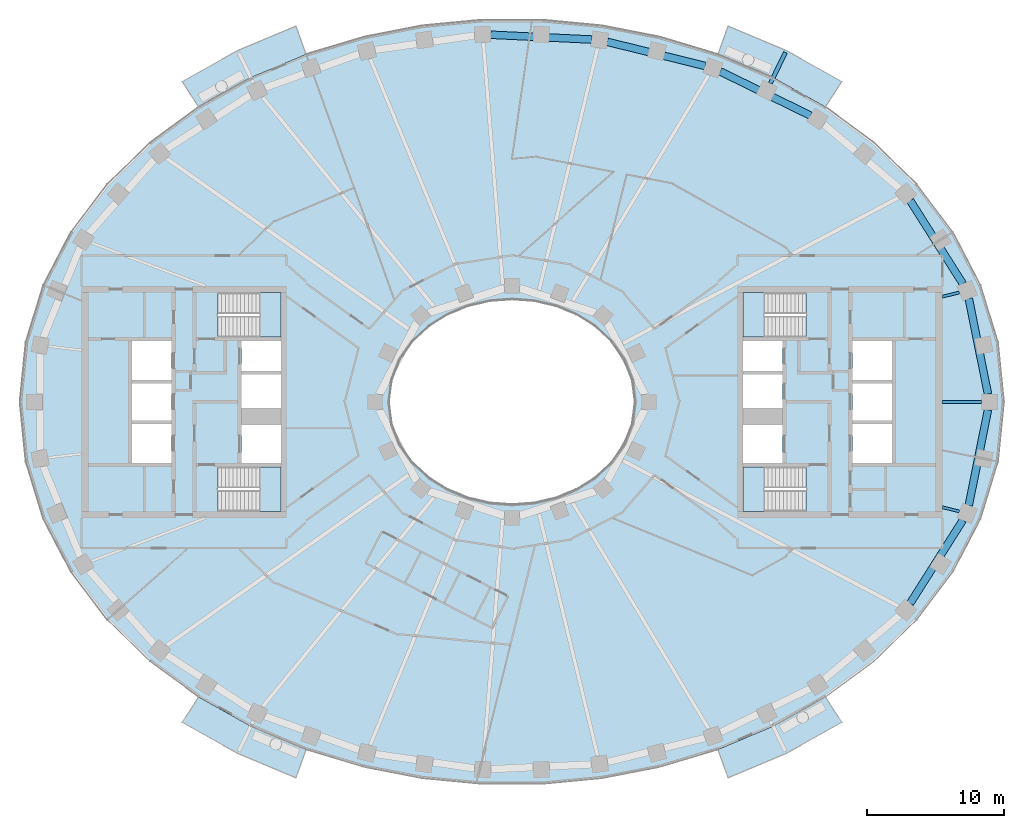
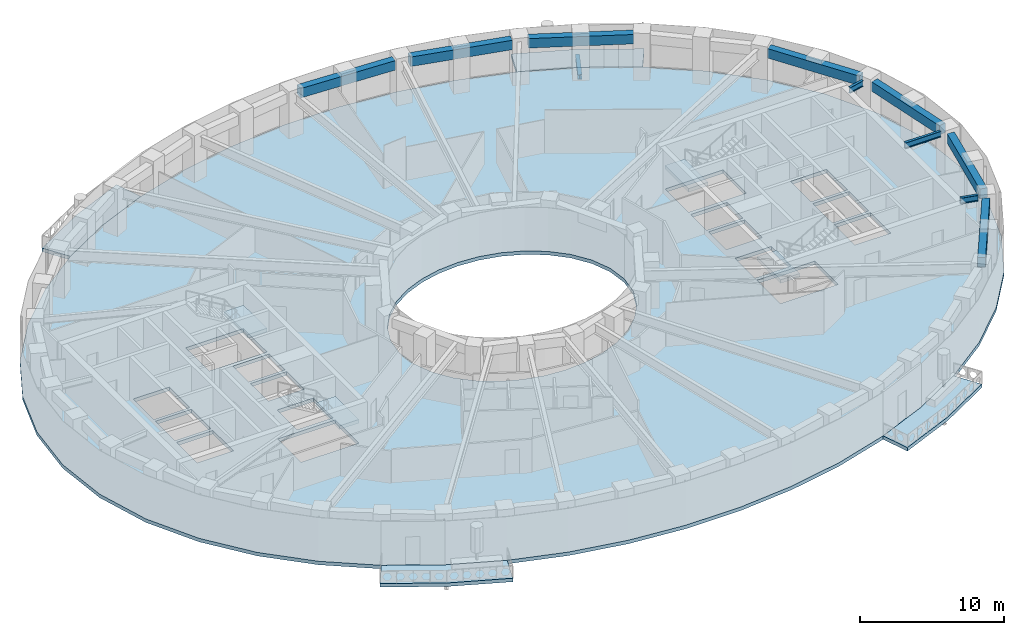
# One storey, part 2 of 15: 11 beams, 9 slabs, 4 elements without a shape of their own.
"""IFC4 building model written with IfcOpenShell, lengths in metres."""

from ifc_helpers import new_model, si_unit, direction, frame, origin, origin_2d, place, context, subcontext, project, spatial, polyline, rectangle, i_section, outline, extrude, material, layer, layer_set, material_profile, profile_set, type_object, element, aggregate, save


model = new_model("IFC4")

# Units and contexts
model_context = context("Model", 3, precision=1e-05, world=origin(), true_north=direction((0.0, 1.0)))
body_context = subcontext(model_context, "Body", "Model", "MODEL_VIEW")
ifc_project = project(units=[si_unit("LENGTHUNIT", "METRE"), si_unit("AREAUNIT", "SQUARE_METRE"), si_unit("VOLUMEUNIT", "CUBIC_METRE"), si_unit("PLANEANGLEUNIT", "RADIAN"), si_unit("MASSUNIT", "GRAM", prefix="KILO")], contexts=[model_context])

# Site, building, storey
site_placement = place(None, origin())
site = spatial("IfcSite", under=ifc_project, at=site_placement, CompositionType="ELEMENT")
building_placement = place(site_placement, origin())
building = spatial("IfcBuilding", under=site, at=building_placement, Name="Noorbagh Ring Tower", CompositionType="ELEMENT")
storey_placement = place(building_placement, frame((0.0, 0.0, 170.0)))
storey = spatial("IfcBuildingStorey", under=building, at=storey_placement, Name="L39", CompositionType="ELEMENT", Elevation=170.0)

# Beams
ifc_material_1 = material(Name="Steel S355", Category="steel")
ifc_material_profile_1 = material_profile(ifc_material_1, i_section(OverallWidth=0.300048828125, OverallDepth=0.39990234375, WebThickness=0.013427734375, FlangeThickness=0.02392578125, FilletRadius=0.027099609375, at=origin_2d()), Name="HEB400")
ifc_profile_set_1 = profile_set([ifc_material_profile_1], Name="Steel S355")
beam_type_1 = type_object("IfcBeamType", Name="STR-BALCONY-BRACKET-HEB400", PredefinedType="BEAM", material=ifc_profile_set_1)
beam_1_placement = place(storey_placement, frame((18.901123046875, 23.306396484375, -0.5), z_axis=(0.439229206399, 0.898375035409, 0.0), x_axis=(-0.898375035409, 0.439229206399, 0.0)))
element("IfcBeam", 1, at=beam_1_placement, inside=storey, type_object=beam_type_1, Name="Balcony bracket beam BN02", PredefinedType="BEAM", context=body_context, shape_type="SweptSolid", body=[
    extrude(i_section(OverallWidth=0.300048828125, OverallDepth=0.39990234375, WebThickness=0.013427734375, FlangeThickness=0.02392578125, FilletRadius=0.027099609375, at=origin_2d()), origin(), (0.0, 0.0, 1.0), 2.525146484375),
])
ifc_material_2 = material(Name="Steel S355", Category="steel")
ifc_material_profile_2 = material_profile(ifc_material_2, i_section(OverallWidth=0.199951171875, OverallDepth=0.5, WebThickness=0.01025390625, FlangeThickness=0.01611328125, FilletRadius=0.02099609375, at=origin_2d()), Name="IPE500")
ifc_profile_set_2 = profile_set([ifc_material_profile_2], Name="Steel S355")
beam_type_2 = type_object("IfcBeamType", Name="STR-RAD-IPE500", PredefinedType="BEAM", material=ifc_profile_set_2)
beam_2_placement = place(storey_placement, frame((34.36474609375, 0.0, 3.449951171875), z_axis=(-1.0, 0.0, 0.0), x_axis=(0.0, -1.0, 0.0)))
element("IfcBeam", 2, at=beam_2_placement, inside=storey, type_object=beam_type_2, Name="L39/bm/RD01", PredefinedType="BEAM", context=body_context, shape_type="SweptSolid", body=[
    extrude(i_section(OverallWidth=0.199951171875, OverallDepth=0.5, WebThickness=0.01025390625, FlangeThickness=0.01611328125, FilletRadius=0.02099609375, at=origin_2d()), origin(), (0.0, 0.0, 1.0), 2.884765625),
])
for number, where, z_axis, x_axis, name in (
    (3, (32.7353515625, 8.010009765625, 3.449951171875), (-0.971331161348, -0.237730467116, 0.0), (0.237730467116, -0.971331161348, 0.0), "L39/bm/RD03"),
    (4, (32.7353515625, -8.010009765625, 3.449951171875), (-0.971331161348, 0.237730467116, 0.0), (-0.237730467116, -0.971331161348, 0.0), "L39/bm/RD45"),
):
    element("IfcBeam", number, at=place(storey_placement, frame(where, z_axis=z_axis, x_axis=x_axis)), inside=storey, type_object=beam_type_2, Name=name, PredefinedType="BEAM", context=body_context, shape_type="SweptSolid", body=[
        extrude(i_section(OverallWidth=0.199951171875, OverallDepth=0.5, WebThickness=0.01025390625, FlangeThickness=0.01611328125, FilletRadius=0.02099609375, at=origin_2d()), origin(), (0.0, 0.0, 1.0), 1.2919921875),
    ])
ifc_material_3 = material(Name="Concrete C40/50", Category="concrete")
ifc_material_profile_3 = material_profile(ifc_material_3, rectangle(XDim=0.550048828125, YDim=0.800048828125, at=origin_2d()), Name="RC550x800")
ifc_profile_set_3 = profile_set([ifc_material_profile_3], Name="Concrete C40/50")
beam_type_3 = type_object("IfcBeamType", Name="STR-SB-RC550x800-C40-50", PredefinedType="BEAM", material=ifc_profile_set_3)
beam_3_placement = place(storey_placement, frame((34.827880859375, 0.580322265625, 3.300048828125), z_axis=(-0.19720917592, 0.980361433826, 0.0), x_axis=(-0.980361433826, -0.19720917592, 0.0)))
element("IfcBeam", 5, at=beam_3_placement, inside=storey, type_object=beam_type_3, Name="L39/bm/SP01", PredefinedType="BEAM", context=body_context, shape_type="SweptSolid", body=[
    extrude(rectangle(XDim=0.550048828125, YDim=0.800048828125, at=origin_2d()), origin(), (0.0, 0.0, 1.0), 7.12939453125),
])
beam_4_placement = place(storey_placement, frame((32.98974609375, 8.647216796875, 3.300048828125), z_axis=(-0.535190716377, 0.844731257326, 0.0), x_axis=(-0.844731257326, -0.535190716377, 0.0)))
element("IfcBeam", 6, at=beam_4_placement, inside=storey, type_object=beam_type_3, Name="L39/bm/SP03", PredefinedType="BEAM", context=body_context, shape_type="SweptSolid", body=[
    extrude(rectangle(XDim=0.550048828125, YDim=0.800048828125, at=origin_2d()), origin(), (0.0, 0.0, 1.0), 7.205810546875),
])
beam_5_placement = place(storey_placement, frame((21.837158203125, 20.95654296875, 3.300048828125), z_axis=(-0.898397175695, 0.439183918994, 0.0), x_axis=(-0.439183918994, -0.898397175695, 0.0)))
element("IfcBeam", 7, at=beam_5_placement, inside=storey, type_object=beam_type_3, Name="L39/bm/SP07", PredefinedType="BEAM", context=body_context, shape_type="SweptSolid", body=[
    extrude(rectangle(XDim=0.550048828125, YDim=0.800048828125, at=origin_2d()), origin(), (0.0, 0.0, 1.0), 7.35009765625),
])
beam_6_placement = place(storey_placement, frame((14.143310546875, 24.580810546875, 3.300048828125), z_axis=(-0.970832897369, 0.239757138341, 0.0), x_axis=(-0.239757138341, -0.970832897369, 0.0)))
element("IfcBeam", 8, at=beam_6_placement, inside=storey, type_object=beam_type_3, Name="L39/bm/SP09", PredefinedType="BEAM", context=body_context, shape_type="SweptSolid", body=[
    extrude(rectangle(XDim=0.550048828125, YDim=0.800048828125, at=origin_2d()), origin(), (0.0, 0.0, 1.0), 7.383544921875),
])
beam_7_placement = place(storey_placement, frame((5.8271484375, 26.5185546875, 3.300048828125), z_axis=(-0.9988682124, 0.047563581193, 0.0), x_axis=(-0.047563581193, -0.9988682124, 0.0)))
element("IfcBeam", 9, at=beam_7_placement, inside=storey, type_object=beam_type_3, Name="L39/bm/SP11", PredefinedType="BEAM", context=body_context, shape_type="SweptSolid", body=[
    extrude(rectangle(XDim=0.550048828125, YDim=0.800048828125, at=origin_2d()), origin(), (0.0, 0.0, 1.0), 7.396484375),
])
beam_8_placement = place(storey_placement, frame((29.13330078125, -14.734130859375, 3.300048828125), z_axis=(0.535190716377, 0.844731257326, 0.0), x_axis=(-0.844731257326, 0.535190716377, 0.0)))
element("IfcBeam", 10, at=beam_8_placement, inside=storey, type_object=beam_type_3, Name="L39/bm/SP43", PredefinedType="BEAM", context=body_context, shape_type="SweptSolid", body=[
    extrude(rectangle(XDim=0.550048828125, YDim=0.800048828125, at=origin_2d()), origin(), (0.0, 0.0, 1.0), 7.205810546875),
])
beam_9_placement = place(storey_placement, frame((33.421875, -7.56982421875, 3.300048828125), z_axis=(0.19720917592, 0.980361433826, 0.0), x_axis=(-0.980361433826, 0.19720917592, 0.0)))
element("IfcBeam", 11, at=beam_9_placement, inside=storey, type_object=beam_type_3, Name="L39/bm/SP45", PredefinedType="BEAM", context=body_context, shape_type="SweptSolid", body=[
    extrude(rectangle(XDim=0.550048828125, YDim=0.800048828125, at=origin_2d()), origin(), (0.0, 0.0, 1.0), 7.12939453125),
])

# Stair, slab
ifc_material_4 = material(Name="Concrete C40/50", Category="concrete")
stair_type = type_object("IfcStairType", Name="CORE-STAIR", PredefinedType="HALF_TURN_STAIR", material=ifc_material_4)
stair_1_placement = place(storey_placement, origin())
stair_1 = element("IfcStair", 12, at=stair_1_placement, inside=storey, type_object=stair_type, Name="L39 Exit stair ST1", PredefinedType="HALF_TURN_STAIR")
ifc_material_5 = material(Name="Concrete C40/50", Category="concrete")
ifc_layer_1 = layer(ifc_material_5, 0.300048828125)
ifc_layer_set_1 = layer_set([ifc_layer_1], Name="Concrete C40/50")
slab_type_1 = type_object("IfcSlabType", Name="CORE-STAIR-LANDING", PredefinedType="LANDING", material=ifc_layer_set_1)
slab_1_placement = place(storey_placement, frame((0.0, 0.0, 1.699951171875)))
slab_1 = element("IfcSlab", 13, at=slab_1_placement, type_object=slab_type_1, Name="ST1 landing 1", PredefinedType="LANDING", context=body_context, shape_type="SweptSolid", body=[
    extrude(outline(polyline([(-18.449951171875, 4.75), (-16.89990234375, 4.75), (-16.89990234375, 8.0), (-18.449951171875, 8.0), (-18.449951171875, 4.75)])), origin(), (0.0, 0.0, 1.0), 0.300048828125),
])
aggregate(stair_1, [slab_1])

stair_2_placement = place(storey_placement, origin())
stair_2 = element("IfcStair", 14, at=stair_2_placement, inside=storey, type_object=stair_type, Name="L39 Exit stair ST2", PredefinedType="HALF_TURN_STAIR")
slab_2_placement = place(storey_placement, frame((0.0, 0.0, 1.699951171875)))
slab_2 = element("IfcSlab", 15, at=slab_2_placement, type_object=slab_type_1, Name="ST2 landing 1", PredefinedType="LANDING", context=body_context, shape_type="SweptSolid", body=[
    extrude(outline(polyline([(-18.449951171875, -8.0), (-16.89990234375, -8.0), (-16.89990234375, -4.75), (-18.449951171875, -4.75), (-18.449951171875, -8.0)])), origin(), (0.0, 0.0, 1.0), 0.300048828125),
])
aggregate(stair_2, [slab_2])

stair_3_placement = place(storey_placement, origin())
stair_3 = element("IfcStair", 16, at=stair_3_placement, inside=storey, type_object=stair_type, Name="L39 Exit stair ST3", PredefinedType="HALF_TURN_STAIR")
slab_3_placement = place(storey_placement, frame((0.0, 0.0, 1.699951171875)))
slab_3 = element("IfcSlab", 17, at=slab_3_placement, type_object=slab_type_1, Name="ST3 landing 1", PredefinedType="LANDING", context=body_context, shape_type="SweptSolid", body=[
    extrude(outline(polyline([(18.449951171875, 8.0), (16.89990234375, 8.0), (16.89990234375, 4.75), (18.449951171875, 4.75), (18.449951171875, 8.0)])), origin(), (0.0, 0.0, 1.0), 0.300048828125),
])
aggregate(stair_3, [slab_3])

stair_4_placement = place(storey_placement, origin())
stair_4 = element("IfcStair", 18, at=stair_4_placement, inside=storey, type_object=stair_type, Name="L39 Exit stair ST4", PredefinedType="HALF_TURN_STAIR")
slab_4_placement = place(storey_placement, frame((0.0, 0.0, 1.699951171875)))
slab_4 = element("IfcSlab", 19, at=slab_4_placement, type_object=slab_type_1, Name="ST4 landing 1", PredefinedType="LANDING", context=body_context, shape_type="SweptSolid", body=[
    extrude(outline(polyline([(18.449951171875, -4.75), (16.89990234375, -4.75), (16.89990234375, -8.0), (18.449951171875, -8.0), (18.449951171875, -4.75)])), origin(), (0.0, 0.0, 1.0), 0.300048828125),
])
aggregate(stair_4, [slab_4])

# Slabs
ifc_material_6 = material(Name="Concrete C40/50", Category="concrete")
ifc_layer_2 = layer(ifc_material_6, 0.300048828125)
ifc_layer_set_2 = layer_set([ifc_layer_2], Name="Concrete C40/50")
slab_type_2 = type_object("IfcSlabType", Name="ENV-BALCONY DECK 300", PredefinedType="FLOOR", material=ifc_layer_set_2)
slab_5_placement = place(storey_placement, frame((0.0, 0.0, -0.300048828125)))
element("IfcSlab", 20, at=slab_5_placement, inside=storey, type_object=slab_type_2, Name="Tree balcony deck BN02", PredefinedType="FLOOR", context=body_context, shape_type="SweptSolid", body=[
    extrude(outline(polyline([(24.1279296875, 23.435791015625), (20.076171875, 25.709716796875), (15.810791015625, 27.50341796875), (15.0654296875, 25.430419921875), (19.108154296875, 23.730224609375), (22.9326171875, 21.583740234375), (24.1279296875, 23.435791015625)])), origin(), (0.0, 0.0, 1.0), 0.300048828125),
])
slab_6_placement = place(storey_placement, frame((0.0, 0.0, -0.300048828125)))
element("IfcSlab", 21, at=slab_6_placement, inside=storey, type_object=slab_type_2, Name="Tree balcony deck BN05", PredefinedType="FLOOR", context=body_context, shape_type="SweptSolid", body=[
    extrude(outline(polyline([(-15.810791015625, 27.50341796875), (-20.076171875, 25.709716796875), (-24.1279296875, 23.435791015625), (-22.9326171875, 21.583740234375), (-19.108154296875, 23.730224609375), (-15.0654296875, 25.430419921875), (-15.810791015625, 27.50341796875)])), origin(), (0.0, 0.0, 1.0), 0.300048828125),
])
slab_7_placement = place(storey_placement, frame((0.0, 0.0, -0.300048828125)))
element("IfcSlab", 22, at=slab_7_placement, inside=storey, type_object=slab_type_2, Name="Tree balcony deck BS02", PredefinedType="FLOOR", context=body_context, shape_type="SweptSolid", body=[
    extrude(outline(polyline([(-24.1279296875, -23.435791015625), (-20.076171875, -25.709716796875), (-15.810791015625, -27.50341796875), (-15.0654296875, -25.430419921875), (-19.108154296875, -23.730224609375), (-22.9326171875, -21.583740234375), (-24.1279296875, -23.435791015625)])), origin(), (0.0, 0.0, 1.0), 0.300048828125),
])
slab_8_placement = place(storey_placement, frame((0.0, 0.0, -0.300048828125)))
element("IfcSlab", 23, at=slab_8_placement, inside=storey, type_object=slab_type_2, Name="Tree balcony deck BS05", PredefinedType="FLOOR", context=body_context, shape_type="SweptSolid", body=[
    extrude(outline(polyline([(15.810791015625, -27.50341796875), (20.076171875, -25.709716796875), (24.1279296875, -23.435791015625), (22.9326171875, -21.583740234375), (19.108154296875, -23.730224609375), (15.0654296875, -25.430419921875), (15.810791015625, -27.50341796875)])), origin(), (0.0, 0.0, 1.0), 0.300048828125),
])
ifc_material_7 = material(Name="Concrete C40/50", Category="concrete")
ifc_layer_3 = layer(ifc_material_7, 0.300048828125)
ifc_layer_set_3 = layer_set([ifc_layer_3], Name="Concrete C40/50")
slab_type_3 = type_object("IfcSlabType", Name="STR-FLOOR-DECK-300", PredefinedType="FLOOR", material=ifc_layer_set_3)
slab_9_placement = place(storey_placement, frame((0.0, 0.0, -0.300048828125)))
element("IfcSlab", 24, at=slab_9_placement, inside=storey, type_object=slab_type_3, Name="L39/slab/1", PredefinedType="FLOOR", context=body_context, shape_type="SweptSolid", body=[
    extrude(outline(polyline([(36.0, 0.0), (35.56103515625, 4.358642578125), (34.281005859375, 8.548828125), (32.255126953125, 12.434814453125), (29.607666015625, 15.92822265625), (26.463134765625, 18.983154296875), (22.9326171875, 21.583740234375), (19.108154296875, 23.730224609375), (15.0654296875, 25.430419921875), (10.865234375, 26.6943359375), (6.5595703125, 27.53125), (2.193115234375, 27.947998046875), (-2.193115234375, 27.947998046875), (-6.5595703125, 27.53125), (-10.865234375, 26.6943359375), (-15.0654296875, 25.430419921875), (-19.108154296875, 23.730224609375), (-22.9326171875, 21.583740234375), (-26.463134765625, 18.983154296875), (-29.607666015625, 15.92822265625), (-32.255126953125, 12.434814453125), (-34.281005859375, 8.548828125), (-35.56103515625, 4.358642578125), (-36.0, 0.0), (-35.56103515625, -4.358642578125), (-34.281005859375, -8.548828125), (-32.255126953125, -12.434814453125), (-29.607666015625, -15.92822265625), (-26.463134765625, -18.983154296875), (-22.9326171875, -21.583740234375), (-19.108154296875, -23.730224609375), (-15.0654296875, -25.430419921875), (-10.865234375, -26.6943359375), (-6.5595703125, -27.53125), (-2.193115234375, -27.947998046875), (2.193115234375, -27.947998046875), (6.5595703125, -27.53125), (10.865234375, -26.6943359375), (15.0654296875, -25.430419921875), (19.108154296875, -23.730224609375), (22.9326171875, -21.583740234375), (26.463134765625, -18.983154296875), (29.607666015625, -15.92822265625), (32.255126953125, -12.434814453125), (34.281005859375, -8.548828125), (35.56103515625, -4.358642578125), (36.0, 0.0)]), holes=[polyline([(24.89990234375, 4.449951171875), (27.800048828125, 4.449951171875), (27.800048828125, 1.60009765625), (24.89990234375, 1.60009765625), (24.89990234375, 4.449951171875)]), polyline([(24.89990234375, 1.35009765625), (27.800048828125, 1.35009765625), (27.800048828125, -1.35009765625), (24.89990234375, -1.35009765625), (24.89990234375, 1.35009765625)]), polyline([(24.89990234375, -1.60009765625), (27.800048828125, -1.60009765625), (27.800048828125, -4.449951171875), (24.89990234375, -4.449951171875), (24.89990234375, -1.60009765625)]), polyline([(21.529541015625, -8.0), (16.89990234375, -8.0), (16.89990234375, -4.75), (21.529541015625, -4.75), (21.529541015625, -8.0)]), polyline([(16.89990234375, 4.75), (16.89990234375, 8.0), (21.529541015625, 8.0), (21.529541015625, 4.75), (16.89990234375, 4.75)]), polyline([(19.800048828125, 4.449951171875), (19.800048828125, 2.25), (16.89990234375, 2.25), (16.89990234375, 4.449951171875), (19.800048828125, 4.449951171875)]), polyline([(16.89990234375, 2.0), (19.800048828125, 2.0), (19.800048828125, -0.449951171875), (16.89990234375, -0.449951171875), (16.89990234375, 2.0)]), polyline([(16.89990234375, -1.699951171875), (19.800048828125, -1.699951171875), (19.800048828125, -4.449951171875), (16.89990234375, -4.449951171875), (16.89990234375, -1.699951171875)]), polyline([(4.697509765625, -6.3974609375), (3.196533203125, -7.010986328125), (1.6171875, -7.3779296875), (0.0, -7.5), (-1.6171875, -7.3779296875), (-3.196533203125, -7.010986328125), (-4.697509765625, -6.3974609375), (-6.071044921875, -5.53662109375), (-7.2587890625, -4.43408203125), (-8.1904296875, -3.10888671875), (-8.79150390625, -1.605224609375), (-9.0, 0.0), (-8.79150390625, 1.605224609375), (-8.1904296875, 3.10888671875), (-7.2587890625, 4.43408203125), (-6.071044921875, 5.53662109375), (-4.697509765625, 6.3974609375), (-3.196533203125, 7.010986328125), (-1.6171875, 7.3779296875), (0.0, 7.5), (1.6171875, 7.3779296875), (3.196533203125, 7.010986328125), (4.697509765625, 6.3974609375), (6.071044921875, 5.53662109375), (7.2587890625, 4.43408203125), (8.1904296875, 3.10888671875), (8.79150390625, 1.605224609375), (9.0, 0.0), (8.79150390625, -1.605224609375), (8.1904296875, -3.10888671875), (7.2587890625, -4.43408203125), (6.071044921875, -5.53662109375), (4.697509765625, -6.3974609375)]), polyline([(-16.89990234375, 2.25), (-19.800048828125, 2.25), (-19.800048828125, 4.449951171875), (-16.89990234375, 4.449951171875), (-16.89990234375, 2.25)]), polyline([(-16.89990234375, -0.449951171875), (-19.800048828125, -0.449951171875), (-19.800048828125, 2.0), (-16.89990234375, 2.0), (-16.89990234375, -0.449951171875)]), polyline([(-16.89990234375, -4.449951171875), (-19.800048828125, -4.449951171875), (-19.800048828125, -1.699951171875), (-16.89990234375, -1.699951171875), (-16.89990234375, -4.449951171875)]), polyline([(-21.529541015625, 8.0), (-16.89990234375, 8.0), (-16.89990234375, 4.75), (-21.529541015625, 4.75), (-21.529541015625, 8.0)]), polyline([(-21.529541015625, -4.75), (-16.89990234375, -4.75), (-16.89990234375, -8.0), (-21.529541015625, -8.0), (-21.529541015625, -4.75)]), polyline([(-24.89990234375, -4.449951171875), (-27.800048828125, -4.449951171875), (-27.800048828125, -1.60009765625), (-24.89990234375, -1.60009765625), (-24.89990234375, -4.449951171875)]), polyline([(-24.89990234375, 1.60009765625), (-27.800048828125, 1.60009765625), (-27.800048828125, 4.449951171875), (-24.89990234375, 4.449951171875), (-24.89990234375, 1.60009765625)]), polyline([(-24.89990234375, -1.35009765625), (-27.800048828125, -1.35009765625), (-27.800048828125, 1.35009765625), (-24.89990234375, 1.35009765625), (-24.89990234375, -1.35009765625)])]), origin(), (0.0, 0.0, 1.0), 0.300048828125),
])

save(model, "model.ifc")
